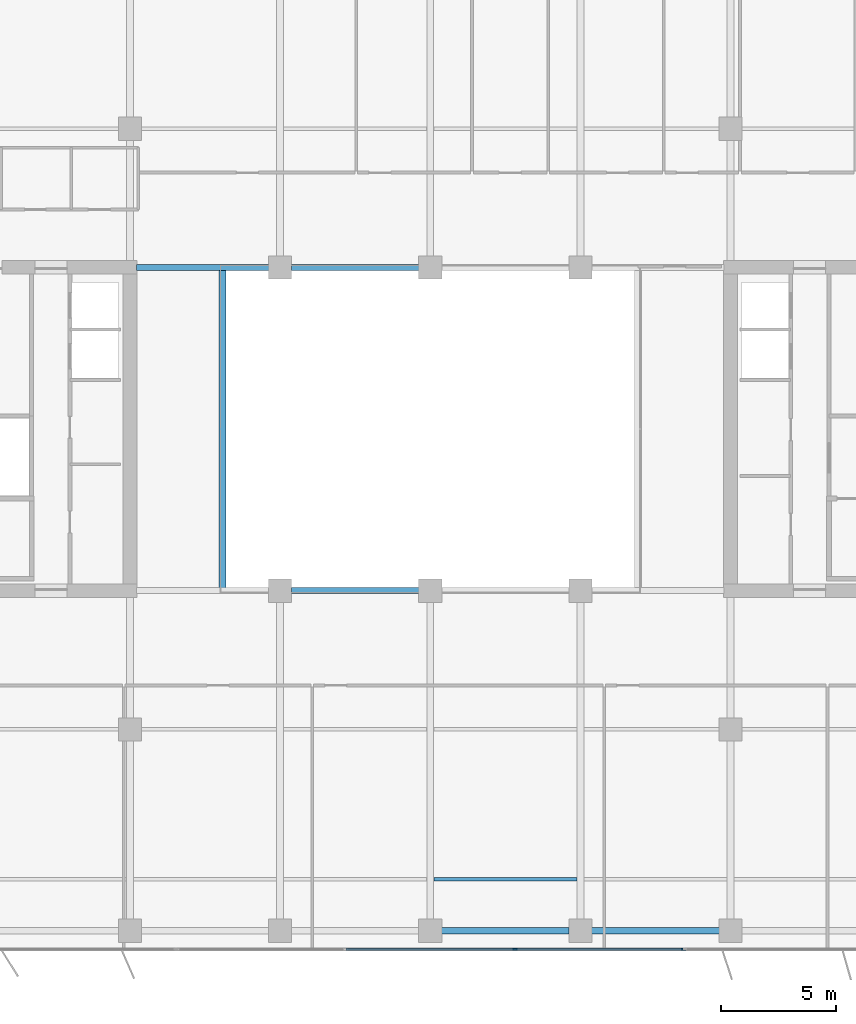
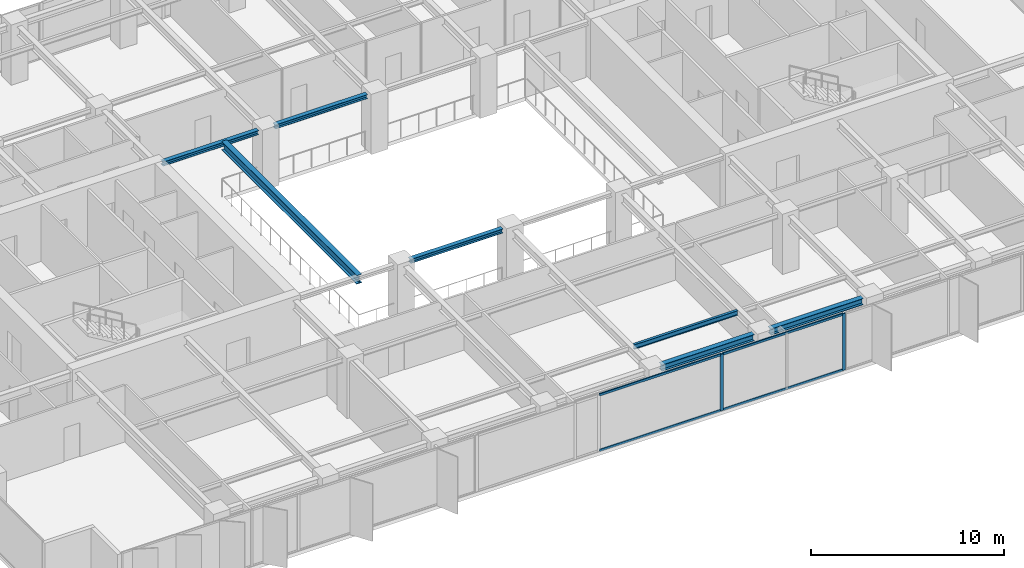
# One storey, part 5 of 22: 7 beams, 6 members, 1 element without a shape of its own.
"""IFC4 building model written with IfcOpenShell, lengths in metres."""

from ifc_helpers import new_model, si_unit, direction, frame, origin, origin_2d, place, context, subcontext, project, spatial, rectangle, i_section, extrude, material, layer, layer_set, material_profile, profile_set, type_object, element, aggregate, save


model = new_model("IFC4")

# Units and contexts
model_context = context("Model", 3, precision=1e-05, world=origin(), true_north=direction((0.0, 1.0)))
body_context = subcontext(model_context, "Body", "Model", "MODEL_VIEW")
ifc_project = project(units=[si_unit("LENGTHUNIT", "METRE"), si_unit("AREAUNIT", "SQUARE_METRE"), si_unit("VOLUMEUNIT", "CUBIC_METRE"), si_unit("PLANEANGLEUNIT", "RADIAN"), si_unit("MASSUNIT", "GRAM", prefix="KILO")], contexts=[model_context])

# Site, building, storey
site_placement = place(None, origin())
site = spatial("IfcSite", under=ifc_project, at=site_placement, CompositionType="ELEMENT")
building_placement = place(site_placement, origin())
building = spatial("IfcBuilding", under=site, at=building_placement, Name="Putna Gate Headquarters", CompositionType="ELEMENT")
storey_placement = place(building_placement, frame((0.0, 0.0, 186.0)))
storey = spatial("IfcBuildingStorey", under=building, at=storey_placement, Name="L46", CompositionType="ELEMENT", Elevation=186.0)

# Beams
ifc_material_1 = material(Name="Steel S355J2", Category="steel")
ifc_material_profile_1 = material_profile(ifc_material_1, i_section(OverallWidth=0.260009765625, OverallDepth=0.260009765625, WebThickness=0.010009765625, FlangeThickness=0.017578125, at=origin_2d()), Name="Steel S355J2")
ifc_profile_set_1 = profile_set([ifc_material_profile_1], Name="Steel S355J2")
beam_type_1 = type_object("IfcBeamType", Name="BM-ATRIUM-HEB260", PredefinedType="BEAM", material=ifc_profile_set_1)
beam_1_placement = place(storey_placement, frame((32.988037109375, 19.0, 3.44189453125), z_axis=(1.0, 0.0, 0.0), x_axis=(0.0, 1.0, 0.0)))
element("IfcBeam", 1, at=beam_1_placement, inside=storey, type_object=beam_type_1, Name="L46 Atrium Edge Beam AS2", PredefinedType="BEAM", context=body_context, shape_type="SweptSolid", body=[
    extrude(i_section(OverallWidth=0.260009765625, OverallDepth=0.260009765625, WebThickness=0.010009765625, FlangeThickness=0.017578125, at=origin_2d()), origin(), (0.0, 0.0, 1.0), 5.52392578125),
])
beam_2_placement = place(storey_placement, frame((26.284912109375, 33.0, 3.44189453125), z_axis=(1.0, 0.0, 0.0), x_axis=(0.0, 1.0, 0.0)))
element("IfcBeam", 2, at=beam_2_placement, inside=storey, type_object=beam_type_1, Name="L46 Atrium Edge Beam AN1", PredefinedType="BEAM", context=body_context, shape_type="SweptSolid", body=[
    extrude(i_section(OverallWidth=0.260009765625, OverallDepth=0.260009765625, WebThickness=0.010009765625, FlangeThickness=0.017578125, at=origin_2d()), origin(), (0.0, 0.0, 1.0), 5.72705078125),
])
beam_3_placement = place(storey_placement, frame((32.988037109375, 33.0, 3.44189453125), z_axis=(1.0, 0.0, 0.0), x_axis=(0.0, 1.0, 0.0)))
element("IfcBeam", 3, at=beam_3_placement, inside=storey, type_object=beam_type_1, Name="L46 Atrium Edge Beam AN2", PredefinedType="BEAM", context=body_context, shape_type="SweptSolid", body=[
    extrude(i_section(OverallWidth=0.260009765625, OverallDepth=0.260009765625, WebThickness=0.010009765625, FlangeThickness=0.017578125, at=origin_2d()), origin(), (0.0, 0.0, 1.0), 5.52392578125),
])
ifc_material_profile_2 = material_profile(ifc_material_1, i_section(OverallWidth=0.300048828125, OverallDepth=0.550048828125, WebThickness=0.014892578125, FlangeThickness=0.029052734375, at=origin_2d()), Name="Steel S355J2")
ifc_profile_set_2 = profile_set([ifc_material_profile_2], Name="Steel S355J2")
beam_type_2 = type_object("IfcBeamType", Name="BM-GIRD-Z3-HEB550", PredefinedType="USERDEFINED", material=ifc_profile_set_2)
beam_4_placement = place(storey_placement, frame((30.0, 19.010009765625, 3.297119140625), z_axis=(0.0, 1.0, 0.0), x_axis=(-1.0, 0.0, 0.0)))
element("IfcBeam", 4, at=beam_4_placement, inside=storey, type_object=beam_type_2, Name="L46 Atrium Trim Girder AW", ObjectType="GIRDER", PredefinedType="USERDEFINED", context=body_context, shape_type="SweptSolid", body=[
    extrude(i_section(OverallWidth=0.300048828125, OverallDepth=0.550048828125, WebThickness=0.014892578125, FlangeThickness=0.029052734375, at=origin_2d()), origin(), (0.0, 0.0, 1.0), 13.97998046875),
])
ifc_material_profile_3 = material_profile(ifc_material_1, i_section(OverallWidth=0.14990234375, OverallDepth=0.300048828125, WebThickness=0.007080078125, FlangeThickness=0.0107421875, at=origin_2d()), Name="Steel S355J2")
ifc_profile_set_3 = profile_set([ifc_material_profile_3], Name="Steel S355J2")
beam_type_3 = type_object("IfcBeamType", Name="BM-SEC-Z3-IPE300", PredefinedType="JOIST", material=ifc_profile_set_3)
beam_5_placement = place(storey_placement, frame((39.154052734375, 6.5, 3.422119140625), z_axis=(1.0, 0.0, 0.0), x_axis=(0.0, 1.0, 0.0)))
element("IfcBeam", 5, at=beam_5_placement, inside=storey, type_object=beam_type_3, Name="L46 South Secondary Beam 5", PredefinedType="JOIST", context=body_context, shape_type="SweptSolid", body=[
    extrude(i_section(OverallWidth=0.14990234375, OverallDepth=0.300048828125, WebThickness=0.007080078125, FlangeThickness=0.0107421875, at=origin_2d()), origin(), (0.0, 0.0, 1.0), 6.19189453125),
])
ifc_material_profile_4 = material_profile(ifc_material_1, i_section(OverallWidth=0.300048828125, OverallDepth=0.39990234375, WebThickness=0.013427734375, FlangeThickness=0.02392578125, at=origin_2d()), Name="Steel S355J2")
ifc_profile_set_4 = profile_set([ifc_material_profile_4], Name="Steel S355J2")
beam_type_4 = type_object("IfcBeamType", Name="BM-SPAN-Z3-HEB400", PredefinedType="SPANDREL", material=ifc_profile_set_4)
for number, where, z_axis, x_axis, name in (
    (6, (39.488037109375, 4.280029296875, 3.3720703125), (1.0, 0.0, 0.0), (0.0, 1.0, 0.0), "L46 S Perimeter Spandrel 5"),
    (7, (45.988037109375, 4.280029296875, 3.3720703125), (1.0, 0.0, 0.0), (0.0, 1.0, 0.0), "L46 S Perimeter Spandrel 6"),
):
    element("IfcBeam", number, at=place(storey_placement, frame(where, z_axis=z_axis, x_axis=x_axis)), inside=storey, type_object=beam_type_4, Name=name, PredefinedType="SPANDREL", context=body_context, shape_type="SweptSolid", body=[
        extrude(i_section(OverallWidth=0.300048828125, OverallDepth=0.39990234375, WebThickness=0.013427734375, FlangeThickness=0.02392578125, at=origin_2d()), origin(), (0.0, 0.0, 1.0), 5.52392578125),
    ])

# Curtain wall, members
ifc_material_2 = material(Name="Anodised bronze aluminium curtain wall", Category="aluminium")
ifc_layer = layer(ifc_material_2, 0.179931640625)
ifc_layer_set = layer_set([ifc_layer], Name="Anodised bronze aluminium curtain wall")
curtain_wall_type = type_object("IfcCurtainWallType", Name="CW-SYS-ATR", PredefinedType="USERDEFINED", material=ifc_layer_set)
curtain_wall_placement = place(storey_placement, origin())
curtain_wall = element("IfcCurtainWall", 8, at=curtain_wall_placement, inside=storey, type_object=curtain_wall_type, Name="L46 South Atrium Clear Glazing", ObjectType="ATRIUM GLAZING", PredefinedType="USERDEFINED")
ifc_material_3 = material(Name="Anodised bronze aluminium EN AW-6060", Category="aluminium")
ifc_material_profile_5 = material_profile(ifc_material_3, rectangle(XDim=0.070068359375, YDim=0.179931640625, at=origin_2d()), Name="Anodised bronze aluminium EN AW-6060")
ifc_profile_set_5 = profile_set([ifc_material_profile_5], Name="Anodised bronze aluminium EN AW-6060")
member_type_1 = type_object("IfcMemberType", Name="MULL-CWM-AT", PredefinedType="MULLION", material=ifc_profile_set_5)
member_1_placement = place(storey_placement, frame((42.666748046875, 3.47998046875, 0.0), z_axis=(0.0, 0.0, 1.0), x_axis=(0.0, 1.0, 0.0)))
member_1 = element("IfcMember", 9, at=member_1_placement, type_object=member_type_1, Name="CWS-AT mullion 3", PredefinedType="MULLION", context=body_context, shape_type="SweptSolid", body=[
    extrude(rectangle(XDim=0.070068359375, YDim=0.179931640625, at=origin_2d()), origin(), (0.0, 0.0, 1.0), 3.572021484375),
])
member_2_placement = place(storey_placement, frame((49.965087890625, 3.47998046875, 0.0), z_axis=(0.0, 0.0, 1.0), x_axis=(0.0, 1.0, 0.0)))
member_2 = element("IfcMember", 10, at=member_2_placement, type_object=member_type_1, Name="CWS-AT mullion 4", PredefinedType="MULLION", context=body_context, shape_type="SweptSolid", body=[
    extrude(rectangle(XDim=0.070068359375, YDim=0.179931640625, at=origin_2d()), origin(), (0.0, 0.0, 1.0), 3.572021484375),
])
ifc_material_profile_6 = material_profile(ifc_material_3, rectangle(XDim=0.070068359375, YDim=0.139892578125, at=origin_2d()), Name="Anodised bronze aluminium EN AW-6060")
ifc_profile_set_6 = profile_set([ifc_material_profile_6], Name="Anodised bronze aluminium EN AW-6060")
member_type_2 = type_object("IfcMemberType", Name="TRAN-CWT-AT", PredefinedType="USERDEFINED", material=ifc_profile_set_6)
member_3_placement = place(storey_placement, frame((35.368408203125, 3.47998046875, 0.034912109375), z_axis=(1.0, 0.0, 0.0), x_axis=(0.0, 1.0, 0.0)))
member_3 = element("IfcMember", 11, at=member_3_placement, type_object=member_type_2, Name="CWS-AT transom 2.1", ObjectType="TRANSOM", PredefinedType="USERDEFINED", context=body_context, shape_type="SweptSolid", body=[
    extrude(rectangle(XDim=0.070068359375, YDim=0.139892578125, at=origin_2d()), origin(), (0.0, 0.0, 1.0), 7.26318359375),
])
member_4_placement = place(storey_placement, frame((35.368408203125, 3.47998046875, 3.537109375), z_axis=(1.0, 0.0, 0.0), x_axis=(0.0, 1.0, 0.0)))
member_4 = element("IfcMember", 12, at=member_4_placement, type_object=member_type_2, Name="CWS-AT transom 2.2", ObjectType="TRANSOM", PredefinedType="USERDEFINED", context=body_context, shape_type="SweptSolid", body=[
    extrude(rectangle(XDim=0.070068359375, YDim=0.139892578125, at=origin_2d()), origin(), (0.0, 0.0, 1.0), 7.26318359375),
])
member_5_placement = place(storey_placement, frame((42.70166015625, 3.47998046875, 0.034912109375), z_axis=(1.0, 0.0, 0.0), x_axis=(0.0, 1.0, 0.0)))
member_5 = element("IfcMember", 13, at=member_5_placement, type_object=member_type_2, Name="CWS-AT transom 3.1", ObjectType="TRANSOM", PredefinedType="USERDEFINED", context=body_context, shape_type="SweptSolid", body=[
    extrude(rectangle(XDim=0.070068359375, YDim=0.139892578125, at=origin_2d()), origin(), (0.0, 0.0, 1.0), 7.228271484375),
])
member_6_placement = place(storey_placement, frame((42.70166015625, 3.47998046875, 3.537109375), z_axis=(1.0, 0.0, 0.0), x_axis=(0.0, 1.0, 0.0)))
member_6 = element("IfcMember", 14, at=member_6_placement, type_object=member_type_2, Name="CWS-AT transom 3.2", ObjectType="TRANSOM", PredefinedType="USERDEFINED", context=body_context, shape_type="SweptSolid", body=[
    extrude(rectangle(XDim=0.070068359375, YDim=0.139892578125, at=origin_2d()), origin(), (0.0, 0.0, 1.0), 7.228271484375),
])
aggregate(curtain_wall, [member_1, member_2, member_3, member_4, member_5, member_6])

save(model, "model.ifc")
